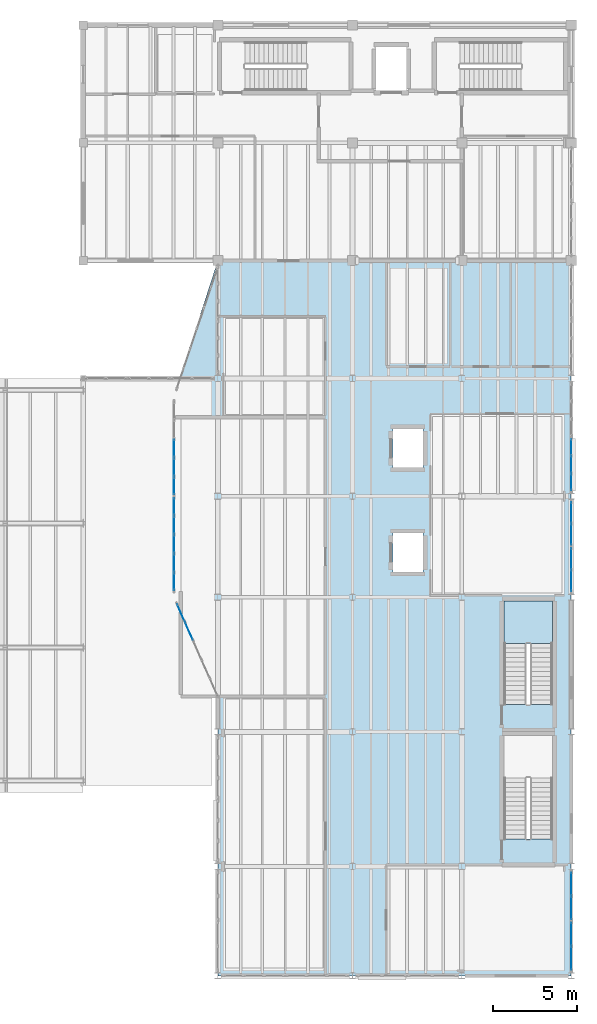
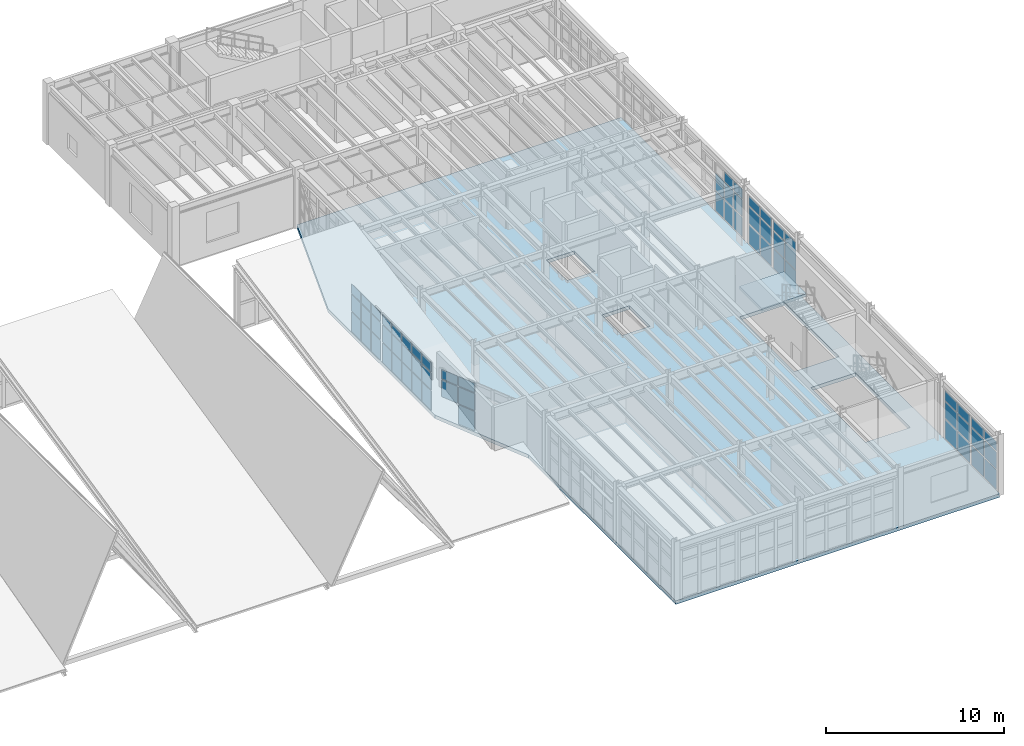
# One storey, part 52 of 77: 61 plates, 2 slabs, 9 elements without a shape of their own.
"""IFC4 building model written with IfcOpenShell, lengths in metres."""

from ifc_helpers import new_model, si_unit, direction, frame, origin, origin_2d, place, context, subcontext, project, spatial, polyline, rectangle, outline, extrude, material, layer, layer_set, type_object, element, aggregate, save


model = new_model("IFC4")

# Units and contexts
model_context = context("Model", 3, precision=1e-05, world=origin(), true_north=direction((0.0, 1.0)))
body_context = subcontext(model_context, "Body", "Model", "MODEL_VIEW")
ifc_project = project(units=[si_unit("LENGTHUNIT", "METRE"), si_unit("AREAUNIT", "SQUARE_METRE"), si_unit("VOLUMEUNIT", "CUBIC_METRE"), si_unit("PLANEANGLEUNIT", "RADIAN"), si_unit("MASSUNIT", "GRAM", prefix="KILO"), si_unit("THERMODYNAMICTEMPERATUREUNIT", "KELVIN"), si_unit("POWERUNIT", "WATT")], contexts=[model_context])

# Site, building, storey
site_placement = place(None, origin())
site = spatial("IfcSite", under=ifc_project, at=site_placement, CompositionType="ELEMENT")
building_placement = place(site_placement, origin())
building = spatial("IfcBuilding", under=site, at=building_placement, Name="Zhenchuan Central Fire Station", CompositionType="ELEMENT")
storey_placement = place(building_placement, frame((0.0, 0.0, 10.050048828125)))
storey = spatial("IfcBuildingStorey", under=building, at=storey_placement, Name="L03", CompositionType="ELEMENT", Elevation=10.050048828125)

# Curtain wall, plates
ifc_material_1 = material(Name="Anodised aluminium and low-E glazing", Category="aluminium")
curtain_wall_type_1 = type_object("IfcCurtainWallType", Name="CW-MOD-03", PredefinedType="USERDEFINED", material=ifc_material_1)
curtain_wall_1_placement = place(storey_placement, origin())
curtain_wall_1 = element("IfcCurtainWall", 1, at=curtain_wall_1_placement, inside=storey, type_object=curtain_wall_type_1, Name="L03 Unitised Curtain Wall 104", ObjectType="UNITISED GLAZING", PredefinedType="USERDEFINED")
ifc_material_2 = material(Name="Laminated low-E double glazing", Category="glass")
ifc_layer_1 = layer(ifc_material_2, 0.011962890625, Name="Laminated low-E double glazing", Category="glass")
ifc_layer_set_1 = layer_set([ifc_layer_1], Name="Laminated low-E double glazing")
plate_type = type_object("IfcPlateType", Name="CW-PNL12", PredefinedType="CURTAIN_PANEL", material=ifc_layer_set_1)
plate_1_placement = place(storey_placement, frame((161.0, 1.044189453125, 0.06103515625), z_axis=(0.0, 0.0, 1.0), x_axis=(0.0, 1.0, 0.0)))
plate_1 = element("IfcPlate", 2, at=plate_1_placement, type_object=plate_type, Name="CW-03 panel 1.1", PredefinedType="CURTAIN_PANEL", context=body_context, shape_type="SweptSolid", body=[
    extrude(rectangle(XDim=1.3583984375, YDim=0.011962890625, at=origin_2d()), origin(), (0.0, 0.0, 1.0), 1.33447265625),
])
plate_2_placement = place(storey_placement, frame((161.0, 1.044189453125, 1.46044921875), z_axis=(0.0, 0.0, 1.0), x_axis=(0.0, 1.0, 0.0)))
plate_2 = element("IfcPlate", 3, at=plate_2_placement, type_object=plate_type, Name="CW-03 panel 1.2", PredefinedType="CURTAIN_PANEL", context=body_context, shape_type="SweptSolid", body=[
    extrude(rectangle(XDim=1.3583984375, YDim=0.011962890625, at=origin_2d()), origin(), (0.0, 0.0, 1.0), 1.158935546875),
])
plate_3_placement = place(storey_placement, frame((161.0, 1.044189453125, 2.6845703125), z_axis=(0.0, 0.0, 1.0), x_axis=(0.0, 1.0, 0.0)))
plate_3 = element("IfcPlate", 4, at=plate_3_placement, type_object=plate_type, Name="CW-03 panel 1.3", PredefinedType="CURTAIN_PANEL", context=body_context, shape_type="SweptSolid", body=[
    extrude(rectangle(XDim=1.3583984375, YDim=0.011962890625, at=origin_2d()), origin(), (0.0, 0.0, 1.0), 0.650390625),
])
plate_4_placement = place(storey_placement, frame((161.0, 2.4677734375, 0.06103515625), z_axis=(0.0, 0.0, 1.0), x_axis=(0.0, 1.0, 0.0)))
plate_4 = element("IfcPlate", 5, at=plate_4_placement, type_object=plate_type, Name="CW-03 panel 2.1", PredefinedType="CURTAIN_PANEL", context=body_context, shape_type="SweptSolid", body=[
    extrude(rectangle(XDim=1.3583984375, YDim=0.011962890625, at=origin_2d()), origin(), (0.0, 0.0, 1.0), 1.33447265625),
])
plate_5_placement = place(storey_placement, frame((161.0, 2.4677734375, 1.46044921875), z_axis=(0.0, 0.0, 1.0), x_axis=(0.0, 1.0, 0.0)))
plate_5 = element("IfcPlate", 6, at=plate_5_placement, type_object=plate_type, Name="CW-03 panel 2.2", PredefinedType="CURTAIN_PANEL", context=body_context, shape_type="SweptSolid", body=[
    extrude(rectangle(XDim=1.3583984375, YDim=0.011962890625, at=origin_2d()), origin(), (0.0, 0.0, 1.0), 1.158935546875),
])
plate_6_placement = place(storey_placement, frame((161.0, 2.4677734375, 2.6845703125), z_axis=(0.0, 0.0, 1.0), x_axis=(0.0, 1.0, 0.0)))
plate_6 = element("IfcPlate", 7, at=plate_6_placement, type_object=plate_type, Name="CW-03 panel 2.3", PredefinedType="CURTAIN_PANEL", context=body_context, shape_type="SweptSolid", body=[
    extrude(rectangle(XDim=1.3583984375, YDim=0.011962890625, at=origin_2d()), origin(), (0.0, 0.0, 1.0), 0.650390625),
])
aggregate(curtain_wall_1, [plate_1, plate_2, plate_3, plate_4, plate_5, plate_6])

curtain_wall_type_2 = type_object("IfcCurtainWallType", Name="CW-MOD-04", PredefinedType="USERDEFINED", material=ifc_material_1)
curtain_wall_2_placement = place(storey_placement, origin())
curtain_wall_2 = element("IfcCurtainWall", 8, at=curtain_wall_2_placement, inside=storey, type_object=curtain_wall_type_2, Name="L03 Unitised Curtain Wall 105", ObjectType="UNITISED GLAZING", PredefinedType="USERDEFINED")
plate_7_placement = place(storey_placement, frame((161.0, 4.0322265625, 0.06103515625), z_axis=(0.0, 0.0, 1.0), x_axis=(0.0, 1.0, 0.0)))
plate_7 = element("IfcPlate", 9, at=plate_7_placement, type_object=plate_type, Name="CW-04 panel 1.1", PredefinedType="CURTAIN_PANEL", context=body_context, shape_type="SweptSolid", body=[
    extrude(rectangle(XDim=1.3583984375, YDim=0.011962890625, at=origin_2d()), origin(), (0.0, 0.0, 1.0), 1.33447265625),
])
plate_8_placement = place(storey_placement, frame((161.0, 4.0322265625, 1.46044921875), z_axis=(0.0, 0.0, 1.0), x_axis=(0.0, 1.0, 0.0)))
plate_8 = element("IfcPlate", 10, at=plate_8_placement, type_object=plate_type, Name="CW-04 panel 1.2", PredefinedType="CURTAIN_PANEL", context=body_context, shape_type="SweptSolid", body=[
    extrude(rectangle(XDim=1.3583984375, YDim=0.011962890625, at=origin_2d()), origin(), (0.0, 0.0, 1.0), 1.158935546875),
])
plate_9_placement = place(storey_placement, frame((161.0, 4.0322265625, 2.6845703125), z_axis=(0.0, 0.0, 1.0), x_axis=(0.0, 1.0, 0.0)))
plate_9 = element("IfcPlate", 11, at=plate_9_placement, type_object=plate_type, Name="CW-04 panel 1.3", PredefinedType="CURTAIN_PANEL", context=body_context, shape_type="SweptSolid", body=[
    extrude(rectangle(XDim=1.3583984375, YDim=0.011962890625, at=origin_2d()), origin(), (0.0, 0.0, 1.0), 0.650390625),
])
plate_10_placement = place(storey_placement, frame((161.0, 5.455810546875, 0.06103515625), z_axis=(0.0, 0.0, 1.0), x_axis=(0.0, 1.0, 0.0)))
plate_10 = element("IfcPlate", 12, at=plate_10_placement, type_object=plate_type, Name="CW-04 panel 2.1", PredefinedType="CURTAIN_PANEL", context=body_context, shape_type="SweptSolid", body=[
    extrude(rectangle(XDim=1.3583984375, YDim=0.011962890625, at=origin_2d()), origin(), (0.0, 0.0, 1.0), 1.33447265625),
])
plate_11_placement = place(storey_placement, frame((161.0, 5.455810546875, 1.46044921875), z_axis=(0.0, 0.0, 1.0), x_axis=(0.0, 1.0, 0.0)))
plate_11 = element("IfcPlate", 13, at=plate_11_placement, type_object=plate_type, Name="CW-04 panel 2.2", PredefinedType="CURTAIN_PANEL", context=body_context, shape_type="SweptSolid", body=[
    extrude(rectangle(XDim=1.3583984375, YDim=0.011962890625, at=origin_2d()), origin(), (0.0, 0.0, 1.0), 1.158935546875),
])
plate_12_placement = place(storey_placement, frame((161.0, 5.455810546875, 2.6845703125), z_axis=(0.0, 0.0, 1.0), x_axis=(0.0, 1.0, 0.0)))
plate_12 = element("IfcPlate", 14, at=plate_12_placement, type_object=plate_type, Name="CW-04 panel 2.3", PredefinedType="CURTAIN_PANEL", context=body_context, shape_type="SweptSolid", body=[
    extrude(rectangle(XDim=1.3583984375, YDim=0.011962890625, at=origin_2d()), origin(), (0.0, 0.0, 1.0), 0.650390625),
])
aggregate(curtain_wall_2, [plate_7, plate_8, plate_9, plate_10, plate_11, plate_12])

curtain_wall_type_3 = type_object("IfcCurtainWallType", Name="CW-MOD-09", PredefinedType="USERDEFINED", material=ifc_material_1)
curtain_wall_3_placement = place(storey_placement, origin())
curtain_wall_3 = element("IfcCurtainWall", 15, at=curtain_wall_3_placement, inside=storey, type_object=curtain_wall_type_3, Name="L03 Unitised Curtain Wall 106", ObjectType="UNITISED GLAZING", PredefinedType="USERDEFINED")
plate_13_placement = place(storey_placement, frame((161.0, 23.481689453125, 0.06103515625), z_axis=(0.0, 0.0, 1.0), x_axis=(0.0, 1.0, 0.0)))
plate_13 = element("IfcPlate", 16, at=plate_13_placement, type_object=plate_type, Name="CW-09 panel 1.1", PredefinedType="CURTAIN_PANEL", context=body_context, shape_type="SweptSolid", body=[
    extrude(rectangle(XDim=1.2333984375, YDim=0.011962890625, at=origin_2d()), origin(), (0.0, 0.0, 1.0), 1.33447265625),
])
plate_14_placement = place(storey_placement, frame((161.0, 23.481689453125, 1.46044921875), z_axis=(0.0, 0.0, 1.0), x_axis=(0.0, 1.0, 0.0)))
plate_14 = element("IfcPlate", 17, at=plate_14_placement, type_object=plate_type, Name="CW-09 panel 1.2", PredefinedType="CURTAIN_PANEL", context=body_context, shape_type="SweptSolid", body=[
    extrude(rectangle(XDim=1.2333984375, YDim=0.011962890625, at=origin_2d()), origin(), (0.0, 0.0, 1.0), 1.158935546875),
])
plate_15_placement = place(storey_placement, frame((161.0, 23.481689453125, 2.6845703125), z_axis=(0.0, 0.0, 1.0), x_axis=(0.0, 1.0, 0.0)))
plate_15 = element("IfcPlate", 18, at=plate_15_placement, type_object=plate_type, Name="CW-09 panel 1.3", PredefinedType="CURTAIN_PANEL", context=body_context, shape_type="SweptSolid", body=[
    extrude(rectangle(XDim=1.2333984375, YDim=0.011962890625, at=origin_2d()), origin(), (0.0, 0.0, 1.0), 0.650390625),
])
plate_16_placement = place(storey_placement, frame((161.0, 24.7802734375, 0.06103515625), z_axis=(0.0, 0.0, 1.0), x_axis=(0.0, 1.0, 0.0)))
plate_16 = element("IfcPlate", 19, at=plate_16_placement, type_object=plate_type, Name="CW-09 panel 2.1", PredefinedType="CURTAIN_PANEL", context=body_context, shape_type="SweptSolid", body=[
    extrude(rectangle(XDim=1.2333984375, YDim=0.011962890625, at=origin_2d()), origin(), (0.0, 0.0, 1.0), 1.33447265625),
])
plate_17_placement = place(storey_placement, frame((161.0, 24.7802734375, 1.46044921875), z_axis=(0.0, 0.0, 1.0), x_axis=(0.0, 1.0, 0.0)))
plate_17 = element("IfcPlate", 20, at=plate_17_placement, type_object=plate_type, Name="CW-09 panel 2.2", PredefinedType="CURTAIN_PANEL", context=body_context, shape_type="SweptSolid", body=[
    extrude(rectangle(XDim=1.2333984375, YDim=0.011962890625, at=origin_2d()), origin(), (0.0, 0.0, 1.0), 1.158935546875),
])
plate_18_placement = place(storey_placement, frame((161.0, 24.7802734375, 2.6845703125), z_axis=(0.0, 0.0, 1.0), x_axis=(0.0, 1.0, 0.0)))
plate_18 = element("IfcPlate", 21, at=plate_18_placement, type_object=plate_type, Name="CW-09 panel 2.3", PredefinedType="CURTAIN_PANEL", context=body_context, shape_type="SweptSolid", body=[
    extrude(rectangle(XDim=1.2333984375, YDim=0.011962890625, at=origin_2d()), origin(), (0.0, 0.0, 1.0), 0.650390625),
])
aggregate(curtain_wall_3, [plate_13, plate_14, plate_15, plate_16, plate_17, plate_18])

curtain_wall_type_4 = type_object("IfcCurtainWallType", Name="CW-MOD-10", PredefinedType="USERDEFINED", material=ifc_material_1)
curtain_wall_4_placement = place(storey_placement, origin())
curtain_wall_4 = element("IfcCurtainWall", 22, at=curtain_wall_4_placement, inside=storey, type_object=curtain_wall_type_4, Name="L03 Unitised Curtain Wall 107", ObjectType="UNITISED GLAZING", PredefinedType="USERDEFINED")
plate_19_placement = place(storey_placement, frame((161.0, 26.2197265625, 0.06103515625), z_axis=(0.0, 0.0, 1.0), x_axis=(0.0, 1.0, 0.0)))
plate_19 = element("IfcPlate", 23, at=plate_19_placement, type_object=plate_type, Name="CW-10 panel 1.1", PredefinedType="CURTAIN_PANEL", context=body_context, shape_type="SweptSolid", body=[
    extrude(rectangle(XDim=1.2333984375, YDim=0.011962890625, at=origin_2d()), origin(), (0.0, 0.0, 1.0), 1.33447265625),
])
plate_20_placement = place(storey_placement, frame((161.0, 26.2197265625, 1.46044921875), z_axis=(0.0, 0.0, 1.0), x_axis=(0.0, 1.0, 0.0)))
plate_20 = element("IfcPlate", 24, at=plate_20_placement, type_object=plate_type, Name="CW-10 panel 1.2", PredefinedType="CURTAIN_PANEL", context=body_context, shape_type="SweptSolid", body=[
    extrude(rectangle(XDim=1.2333984375, YDim=0.011962890625, at=origin_2d()), origin(), (0.0, 0.0, 1.0), 1.158935546875),
])
plate_21_placement = place(storey_placement, frame((161.0, 26.2197265625, 2.6845703125), z_axis=(0.0, 0.0, 1.0), x_axis=(0.0, 1.0, 0.0)))
plate_21 = element("IfcPlate", 25, at=plate_21_placement, type_object=plate_type, Name="CW-10 panel 1.3", PredefinedType="CURTAIN_PANEL", context=body_context, shape_type="SweptSolid", body=[
    extrude(rectangle(XDim=1.2333984375, YDim=0.011962890625, at=origin_2d()), origin(), (0.0, 0.0, 1.0), 0.650390625),
])
plate_22_placement = place(storey_placement, frame((161.0, 27.518310546875, 0.06103515625), z_axis=(0.0, 0.0, 1.0), x_axis=(0.0, 1.0, 0.0)))
plate_22 = element("IfcPlate", 26, at=plate_22_placement, type_object=plate_type, Name="CW-10 panel 2.1", PredefinedType="CURTAIN_PANEL", context=body_context, shape_type="SweptSolid", body=[
    extrude(rectangle(XDim=1.2333984375, YDim=0.011962890625, at=origin_2d()), origin(), (0.0, 0.0, 1.0), 1.33447265625),
])
plate_23_placement = place(storey_placement, frame((161.0, 27.518310546875, 1.46044921875), z_axis=(0.0, 0.0, 1.0), x_axis=(0.0, 1.0, 0.0)))
plate_23 = element("IfcPlate", 27, at=plate_23_placement, type_object=plate_type, Name="CW-10 panel 2.2", PredefinedType="CURTAIN_PANEL", context=body_context, shape_type="SweptSolid", body=[
    extrude(rectangle(XDim=1.2333984375, YDim=0.011962890625, at=origin_2d()), origin(), (0.0, 0.0, 1.0), 1.158935546875),
])
plate_24_placement = place(storey_placement, frame((161.0, 27.518310546875, 2.6845703125), z_axis=(0.0, 0.0, 1.0), x_axis=(0.0, 1.0, 0.0)))
plate_24 = element("IfcPlate", 28, at=plate_24_placement, type_object=plate_type, Name="CW-10 panel 2.3", PredefinedType="CURTAIN_PANEL", context=body_context, shape_type="SweptSolid", body=[
    extrude(rectangle(XDim=1.2333984375, YDim=0.011962890625, at=origin_2d()), origin(), (0.0, 0.0, 1.0), 0.650390625),
])
aggregate(curtain_wall_4, [plate_19, plate_20, plate_21, plate_22, plate_23, plate_24])

curtain_wall_type_5 = type_object("IfcCurtainWallType", Name="CW-MOD-11", PredefinedType="USERDEFINED", material=ifc_material_1)
curtain_wall_5_placement = place(storey_placement, origin())
curtain_wall_5 = element("IfcCurtainWall", 29, at=curtain_wall_5_placement, inside=storey, type_object=curtain_wall_type_5, Name="L03 Unitised Curtain Wall 108", ObjectType="UNITISED GLAZING", PredefinedType="USERDEFINED")
plate_25_placement = place(storey_placement, frame((161.0, 29.34326171875, 0.06103515625), z_axis=(0.0, 0.0, 1.0), x_axis=(0.0, 1.0, 0.0)))
plate_25 = element("IfcPlate", 30, at=plate_25_placement, type_object=plate_type, Name="CW-11 panel 1.1", PredefinedType="CURTAIN_PANEL", context=body_context, shape_type="SweptSolid", body=[
    extrude(rectangle(XDim=0.95654296875, YDim=0.011962890625, at=origin_2d()), origin(), (0.0, 0.0, 1.0), 1.33447265625),
])
plate_26_placement = place(storey_placement, frame((161.0, 29.34326171875, 1.46044921875), z_axis=(0.0, 0.0, 1.0), x_axis=(0.0, 1.0, 0.0)))
plate_26 = element("IfcPlate", 31, at=plate_26_placement, type_object=plate_type, Name="CW-11 panel 1.2", PredefinedType="CURTAIN_PANEL", context=body_context, shape_type="SweptSolid", body=[
    extrude(rectangle(XDim=0.95654296875, YDim=0.011962890625, at=origin_2d()), origin(), (0.0, 0.0, 1.0), 1.158935546875),
])
plate_27_placement = place(storey_placement, frame((161.0, 29.34326171875, 2.6845703125), z_axis=(0.0, 0.0, 1.0), x_axis=(0.0, 1.0, 0.0)))
plate_27 = element("IfcPlate", 32, at=plate_27_placement, type_object=plate_type, Name="CW-11 panel 1.3", PredefinedType="CURTAIN_PANEL", context=body_context, shape_type="SweptSolid", body=[
    extrude(rectangle(XDim=0.95654296875, YDim=0.011962890625, at=origin_2d()), origin(), (0.0, 0.0, 1.0), 0.650390625),
])
plate_28_placement = place(storey_placement, frame((161.0, 30.381103515625, 0.06103515625), z_axis=(0.0, 0.0, 1.0), x_axis=(0.0, 1.0, 0.0)))
plate_28 = element("IfcPlate", 33, at=plate_28_placement, type_object=plate_type, Name="CW-11 panel 2.1", PredefinedType="CURTAIN_PANEL", context=body_context, shape_type="SweptSolid", body=[
    extrude(rectangle(XDim=0.989013671875, YDim=0.011962890625, at=origin_2d()), origin(), (0.0, 0.0, 1.0), 1.33447265625),
])
plate_29_placement = place(storey_placement, frame((161.0, 30.381103515625, 1.46044921875), z_axis=(0.0, 0.0, 1.0), x_axis=(0.0, 1.0, 0.0)))
plate_29 = element("IfcPlate", 34, at=plate_29_placement, type_object=plate_type, Name="CW-11 panel 2.2", PredefinedType="CURTAIN_PANEL", context=body_context, shape_type="SweptSolid", body=[
    extrude(rectangle(XDim=0.989013671875, YDim=0.011962890625, at=origin_2d()), origin(), (0.0, 0.0, 1.0), 1.158935546875),
])
plate_30_placement = place(storey_placement, frame((161.0, 30.381103515625, 2.6845703125), z_axis=(0.0, 0.0, 1.0), x_axis=(0.0, 1.0, 0.0)))
plate_30 = element("IfcPlate", 35, at=plate_30_placement, type_object=plate_type, Name="CW-11 panel 2.3", PredefinedType="CURTAIN_PANEL", context=body_context, shape_type="SweptSolid", body=[
    extrude(rectangle(XDim=0.989013671875, YDim=0.011962890625, at=origin_2d()), origin(), (0.0, 0.0, 1.0), 0.650390625),
])
plate_31_placement = place(storey_placement, frame((161.0, 31.418701171875, 0.06103515625), z_axis=(0.0, 0.0, 1.0), x_axis=(0.0, 1.0, 0.0)))
plate_31 = element("IfcPlate", 36, at=plate_31_placement, type_object=plate_type, Name="CW-11 panel 3.1", PredefinedType="CURTAIN_PANEL", context=body_context, shape_type="SweptSolid", body=[
    extrude(rectangle(XDim=0.95654296875, YDim=0.011962890625, at=origin_2d()), origin(), (0.0, 0.0, 1.0), 1.33447265625),
])
plate_32_placement = place(storey_placement, frame((161.0, 31.418701171875, 1.46044921875), z_axis=(0.0, 0.0, 1.0), x_axis=(0.0, 1.0, 0.0)))
plate_32 = element("IfcPlate", 37, at=plate_32_placement, type_object=plate_type, Name="CW-11 panel 3.2", PredefinedType="CURTAIN_PANEL", context=body_context, shape_type="SweptSolid", body=[
    extrude(rectangle(XDim=0.95654296875, YDim=0.011962890625, at=origin_2d()), origin(), (0.0, 0.0, 1.0), 1.158935546875),
])
aggregate(curtain_wall_5, [plate_25, plate_26, plate_27, plate_28, plate_29, plate_30, plate_31, plate_32])

curtain_wall_type_6 = type_object("IfcCurtainWallType", Name="CW-MOD-15", PredefinedType="USERDEFINED", material=ifc_material_1)
curtain_wall_6_placement = place(storey_placement, origin())
curtain_wall_6 = element("IfcCurtainWall", 38, at=curtain_wall_6_placement, inside=storey, type_object=curtain_wall_type_6, Name="L03 Unitised Curtain Wall 118", ObjectType="UNITISED GLAZING", PredefinedType="USERDEFINED")
plate_33_placement = place(storey_placement, frame((137.802490234375, 21.577880859375, 1.465576171875), z_axis=(0.0, 0.0, 1.0), x_axis=(0.403843105897, -0.914828260287, 0.0)))
plate_33 = element("IfcPlate", 39, at=plate_33_placement, type_object=plate_type, Name="CW-15 panel 1.2", PredefinedType="CURTAIN_PANEL", context=body_context, shape_type="SweptSolid", body=[
    extrude(rectangle(XDim=1.100830078125, YDim=0.011962890625, at=origin_2d()), origin(), (0.0, 0.0, 1.0), 1.14892578125),
])
plate_34_placement = place(storey_placement, frame((137.802490234375, 21.577880859375, 2.689453125), z_axis=(0.0, 0.0, 1.0), x_axis=(0.403843105897, -0.914828260287, 0.0)))
plate_34 = element("IfcPlate", 40, at=plate_34_placement, type_object=plate_type, Name="CW-15 panel 1.3", PredefinedType="CURTAIN_PANEL", context=body_context, shape_type="SweptSolid", body=[
    extrude(rectangle(XDim=1.100830078125, YDim=0.011962890625, at=origin_2d()), origin(), (0.0, 0.0, 1.0), 0.635498046875),
])
plate_35_placement = place(storey_placement, frame((138.284912109375, 20.485107421875, 0.07080078125), z_axis=(0.0, 0.0, 1.0), x_axis=(0.403843105897, -0.914828260287, 0.0)))
plate_35 = element("IfcPlate", 41, at=plate_35_placement, type_object=plate_type, Name="CW-15 panel 2.1", PredefinedType="CURTAIN_PANEL", context=body_context, shape_type="SweptSolid", body=[
    extrude(rectangle(XDim=1.138427734375, YDim=0.011962890625, at=origin_2d()), origin(), (0.0, 0.0, 1.0), 1.319580078125),
])
plate_36_placement = place(storey_placement, frame((138.284912109375, 20.485107421875, 1.465576171875), z_axis=(0.0, 0.0, 1.0), x_axis=(0.403843105897, -0.914828260287, 0.0)))
plate_36 = element("IfcPlate", 42, at=plate_36_placement, type_object=plate_type, Name="CW-15 panel 2.2", PredefinedType="CURTAIN_PANEL", context=body_context, shape_type="SweptSolid", body=[
    extrude(rectangle(XDim=1.138427734375, YDim=0.011962890625, at=origin_2d()), origin(), (0.0, 0.0, 1.0), 1.14892578125),
])
plate_37_placement = place(storey_placement, frame((138.284912109375, 20.485107421875, 2.689453125), z_axis=(0.0, 0.0, 1.0), x_axis=(0.403843105897, -0.914828260287, 0.0)))
plate_37 = element("IfcPlate", 43, at=plate_37_placement, type_object=plate_type, Name="CW-15 panel 2.3", PredefinedType="CURTAIN_PANEL", context=body_context, shape_type="SweptSolid", body=[
    extrude(rectangle(XDim=1.138427734375, YDim=0.011962890625, at=origin_2d()), origin(), (0.0, 0.0, 1.0), 0.635498046875),
])
aggregate(curtain_wall_6, [plate_33, plate_34, plate_35, plate_36, plate_37])

curtain_wall_type_7 = type_object("IfcCurtainWallType", Name="CW-MOD-16", PredefinedType="USERDEFINED", material=ifc_material_1)
curtain_wall_7_placement = place(storey_placement, origin())
curtain_wall_7 = element("IfcCurtainWall", 44, at=curtain_wall_7_placement, inside=storey, type_object=curtain_wall_type_7, Name="L03 Unitised Curtain Wall 119", ObjectType="UNITISED GLAZING", PredefinedType="USERDEFINED")
plate_38_placement = place(storey_placement, frame((137.39990234375, 23.429931640625, 0.07080078125), z_axis=(0.0, 0.0, 1.0), x_axis=(0.0, 1.0, 0.0)))
plate_38 = element("IfcPlate", 45, at=plate_38_placement, type_object=plate_type, Name="CW-16 panel 1.1", PredefinedType="CURTAIN_PANEL", context=body_context, shape_type="SweptSolid", body=[
    extrude(rectangle(XDim=1.010009765625, YDim=0.011962890625, at=origin_2d()), origin(), (0.0, 0.0, 1.0), 1.319580078125),
])
plate_39_placement = place(storey_placement, frame((137.39990234375, 23.429931640625, 1.465576171875), z_axis=(0.0, 0.0, 1.0), x_axis=(0.0, 1.0, 0.0)))
plate_39 = element("IfcPlate", 46, at=plate_39_placement, type_object=plate_type, Name="CW-16 panel 1.2", PredefinedType="CURTAIN_PANEL", context=body_context, shape_type="SweptSolid", body=[
    extrude(rectangle(XDim=1.010009765625, YDim=0.011962890625, at=origin_2d()), origin(), (0.0, 0.0, 1.0), 1.14892578125),
])
plate_40_placement = place(storey_placement, frame((137.39990234375, 23.429931640625, 2.689453125), z_axis=(0.0, 0.0, 1.0), x_axis=(0.0, 1.0, 0.0)))
plate_40 = element("IfcPlate", 47, at=plate_40_placement, type_object=plate_type, Name="CW-16 panel 1.3", PredefinedType="CURTAIN_PANEL", context=body_context, shape_type="SweptSolid", body=[
    extrude(rectangle(XDim=1.010009765625, YDim=0.011962890625, at=origin_2d()), origin(), (0.0, 0.0, 1.0), 0.635498046875),
])
plate_41_placement = place(storey_placement, frame((137.39990234375, 24.53369140625, 0.07080078125), z_axis=(0.0, 0.0, 1.0), x_axis=(0.0, 1.0, 0.0)))
plate_41 = element("IfcPlate", 48, at=plate_41_placement, type_object=plate_type, Name="CW-16 panel 2.1", PredefinedType="CURTAIN_PANEL", context=body_context, shape_type="SweptSolid", body=[
    extrude(rectangle(XDim=1.04736328125, YDim=0.011962890625, at=origin_2d()), origin(), (0.0, 0.0, 1.0), 1.319580078125),
])
plate_42_placement = place(storey_placement, frame((137.39990234375, 24.53369140625, 1.465576171875), z_axis=(0.0, 0.0, 1.0), x_axis=(0.0, 1.0, 0.0)))
plate_42 = element("IfcPlate", 49, at=plate_42_placement, type_object=plate_type, Name="CW-16 panel 2.2", PredefinedType="CURTAIN_PANEL", context=body_context, shape_type="SweptSolid", body=[
    extrude(rectangle(XDim=1.04736328125, YDim=0.011962890625, at=origin_2d()), origin(), (0.0, 0.0, 1.0), 1.14892578125),
])
plate_43_placement = place(storey_placement, frame((137.39990234375, 24.53369140625, 2.689453125), z_axis=(0.0, 0.0, 1.0), x_axis=(0.0, 1.0, 0.0)))
plate_43 = element("IfcPlate", 50, at=plate_43_placement, type_object=plate_type, Name="CW-16 panel 2.3", PredefinedType="CURTAIN_PANEL", context=body_context, shape_type="SweptSolid", body=[
    extrude(rectangle(XDim=1.04736328125, YDim=0.011962890625, at=origin_2d()), origin(), (0.0, 0.0, 1.0), 0.635498046875),
])
plate_44_placement = place(storey_placement, frame((137.39990234375, 25.656005859375, 0.07080078125), z_axis=(0.0, 0.0, 1.0), x_axis=(0.0, 1.0, 0.0)))
plate_44 = element("IfcPlate", 51, at=plate_44_placement, type_object=plate_type, Name="CW-16 panel 3.1", PredefinedType="CURTAIN_PANEL", context=body_context, shape_type="SweptSolid", body=[
    extrude(rectangle(XDim=1.04736328125, YDim=0.011962890625, at=origin_2d()), origin(), (0.0, 0.0, 1.0), 1.319580078125),
])
plate_45_placement = place(storey_placement, frame((137.39990234375, 25.656005859375, 1.465576171875), z_axis=(0.0, 0.0, 1.0), x_axis=(0.0, 1.0, 0.0)))
plate_45 = element("IfcPlate", 52, at=plate_45_placement, type_object=plate_type, Name="CW-16 panel 3.2", PredefinedType="CURTAIN_PANEL", context=body_context, shape_type="SweptSolid", body=[
    extrude(rectangle(XDim=1.04736328125, YDim=0.011962890625, at=origin_2d()), origin(), (0.0, 0.0, 1.0), 1.14892578125),
])
plate_46_placement = place(storey_placement, frame((137.39990234375, 25.656005859375, 2.689453125), z_axis=(0.0, 0.0, 1.0), x_axis=(0.0, 1.0, 0.0)))
plate_46 = element("IfcPlate", 53, at=plate_46_placement, type_object=plate_type, Name="CW-16 panel 3.3", PredefinedType="CURTAIN_PANEL", context=body_context, shape_type="SweptSolid", body=[
    extrude(rectangle(XDim=1.04736328125, YDim=0.011962890625, at=origin_2d()), origin(), (0.0, 0.0, 1.0), 0.635498046875),
])
plate_47_placement = place(storey_placement, frame((137.39990234375, 26.7783203125, 0.07080078125), z_axis=(0.0, 0.0, 1.0), x_axis=(0.0, 1.0, 0.0)))
plate_47 = element("IfcPlate", 54, at=plate_47_placement, type_object=plate_type, Name="CW-16 panel 4.1", PredefinedType="CURTAIN_PANEL", context=body_context, shape_type="SweptSolid", body=[
    extrude(rectangle(XDim=1.04736328125, YDim=0.011962890625, at=origin_2d()), origin(), (0.0, 0.0, 1.0), 1.319580078125),
])
plate_48_placement = place(storey_placement, frame((137.39990234375, 26.7783203125, 1.465576171875), z_axis=(0.0, 0.0, 1.0), x_axis=(0.0, 1.0, 0.0)))
plate_48 = element("IfcPlate", 55, at=plate_48_placement, type_object=plate_type, Name="CW-16 panel 4.2", PredefinedType="CURTAIN_PANEL", context=body_context, shape_type="SweptSolid", body=[
    extrude(rectangle(XDim=1.04736328125, YDim=0.011962890625, at=origin_2d()), origin(), (0.0, 0.0, 1.0), 1.14892578125),
])
plate_49_placement = place(storey_placement, frame((137.39990234375, 26.7783203125, 2.689453125), z_axis=(0.0, 0.0, 1.0), x_axis=(0.0, 1.0, 0.0)))
plate_49 = element("IfcPlate", 56, at=plate_49_placement, type_object=plate_type, Name="CW-16 panel 4.3", PredefinedType="CURTAIN_PANEL", context=body_context, shape_type="SweptSolid", body=[
    extrude(rectangle(XDim=1.04736328125, YDim=0.011962890625, at=origin_2d()), origin(), (0.0, 0.0, 1.0), 0.635498046875),
])
plate_50_placement = place(storey_placement, frame((137.39990234375, 27.882080078125, 0.07080078125), z_axis=(0.0, 0.0, 1.0), x_axis=(0.0, 1.0, 0.0)))
plate_50 = element("IfcPlate", 57, at=plate_50_placement, type_object=plate_type, Name="CW-16 panel 5.1", PredefinedType="CURTAIN_PANEL", context=body_context, shape_type="SweptSolid", body=[
    extrude(rectangle(XDim=1.010009765625, YDim=0.011962890625, at=origin_2d()), origin(), (0.0, 0.0, 1.0), 1.319580078125),
])
plate_51_placement = place(storey_placement, frame((137.39990234375, 27.882080078125, 1.465576171875), z_axis=(0.0, 0.0, 1.0), x_axis=(0.0, 1.0, 0.0)))
plate_51 = element("IfcPlate", 58, at=plate_51_placement, type_object=plate_type, Name="CW-16 panel 5.2", PredefinedType="CURTAIN_PANEL", context=body_context, shape_type="SweptSolid", body=[
    extrude(rectangle(XDim=1.010009765625, YDim=0.011962890625, at=origin_2d()), origin(), (0.0, 0.0, 1.0), 1.14892578125),
])
plate_52_placement = place(storey_placement, frame((137.39990234375, 27.882080078125, 2.689453125), z_axis=(0.0, 0.0, 1.0), x_axis=(0.0, 1.0, 0.0)))
plate_52 = element("IfcPlate", 59, at=plate_52_placement, type_object=plate_type, Name="CW-16 panel 5.3", PredefinedType="CURTAIN_PANEL", context=body_context, shape_type="SweptSolid", body=[
    extrude(rectangle(XDim=1.010009765625, YDim=0.011962890625, at=origin_2d()), origin(), (0.0, 0.0, 1.0), 0.635498046875),
])
aggregate(curtain_wall_7, [plate_38, plate_39, plate_40, plate_41, plate_42, plate_43, plate_44, plate_45, plate_46, plate_47, plate_48, plate_49, plate_50, plate_51, plate_52])

curtain_wall_type_8 = type_object("IfcCurtainWallType", Name="CW-MOD-17", PredefinedType="USERDEFINED", material=ifc_material_1)
curtain_wall_8_placement = place(storey_placement, origin())
curtain_wall_8 = element("IfcCurtainWall", 60, at=curtain_wall_8_placement, inside=storey, type_object=curtain_wall_type_8, Name="L03 Unitised Curtain Wall 120", ObjectType="UNITISED GLAZING", PredefinedType="USERDEFINED")
plate_53_placement = place(storey_placement, frame((137.39990234375, 29.117919921875, 0.07080078125), z_axis=(0.0, 0.0, 1.0), x_axis=(0.0, 1.0, 0.0)))
plate_53 = element("IfcPlate", 61, at=plate_53_placement, type_object=plate_type, Name="CW-17 panel 1.1", PredefinedType="CURTAIN_PANEL", context=body_context, shape_type="SweptSolid", body=[
    extrude(rectangle(XDim=1.010009765625, YDim=0.011962890625, at=origin_2d()), origin(), (0.0, 0.0, 1.0), 1.319580078125),
])
plate_54_placement = place(storey_placement, frame((137.39990234375, 29.117919921875, 1.465576171875), z_axis=(0.0, 0.0, 1.0), x_axis=(0.0, 1.0, 0.0)))
plate_54 = element("IfcPlate", 62, at=plate_54_placement, type_object=plate_type, Name="CW-17 panel 1.2", PredefinedType="CURTAIN_PANEL", context=body_context, shape_type="SweptSolid", body=[
    extrude(rectangle(XDim=1.010009765625, YDim=0.011962890625, at=origin_2d()), origin(), (0.0, 0.0, 1.0), 1.14892578125),
])
plate_55_placement = place(storey_placement, frame((137.39990234375, 29.117919921875, 2.689453125), z_axis=(0.0, 0.0, 1.0), x_axis=(0.0, 1.0, 0.0)))
plate_55 = element("IfcPlate", 63, at=plate_55_placement, type_object=plate_type, Name="CW-17 panel 1.3", PredefinedType="CURTAIN_PANEL", context=body_context, shape_type="SweptSolid", body=[
    extrude(rectangle(XDim=1.010009765625, YDim=0.011962890625, at=origin_2d()), origin(), (0.0, 0.0, 1.0), 0.635498046875),
])
plate_56_placement = place(storey_placement, frame((137.39990234375, 30.2216796875, 0.07080078125), z_axis=(0.0, 0.0, 1.0), x_axis=(0.0, 1.0, 0.0)))
plate_56 = element("IfcPlate", 64, at=plate_56_placement, type_object=plate_type, Name="CW-17 panel 2.1", PredefinedType="CURTAIN_PANEL", context=body_context, shape_type="SweptSolid", body=[
    extrude(rectangle(XDim=1.04736328125, YDim=0.011962890625, at=origin_2d()), origin(), (0.0, 0.0, 1.0), 1.319580078125),
])
plate_57_placement = place(storey_placement, frame((137.39990234375, 30.2216796875, 1.465576171875), z_axis=(0.0, 0.0, 1.0), x_axis=(0.0, 1.0, 0.0)))
plate_57 = element("IfcPlate", 65, at=plate_57_placement, type_object=plate_type, Name="CW-17 panel 2.2", PredefinedType="CURTAIN_PANEL", context=body_context, shape_type="SweptSolid", body=[
    extrude(rectangle(XDim=1.04736328125, YDim=0.011962890625, at=origin_2d()), origin(), (0.0, 0.0, 1.0), 1.14892578125),
])
plate_58_placement = place(storey_placement, frame((137.39990234375, 30.2216796875, 2.689453125), z_axis=(0.0, 0.0, 1.0), x_axis=(0.0, 1.0, 0.0)))
plate_58 = element("IfcPlate", 66, at=plate_58_placement, type_object=plate_type, Name="CW-17 panel 2.3", PredefinedType="CURTAIN_PANEL", context=body_context, shape_type="SweptSolid", body=[
    extrude(rectangle(XDim=1.04736328125, YDim=0.011962890625, at=origin_2d()), origin(), (0.0, 0.0, 1.0), 0.635498046875),
])
plate_59_placement = place(storey_placement, frame((137.39990234375, 31.343994140625, 0.07080078125), z_axis=(0.0, 0.0, 1.0), x_axis=(0.0, 1.0, 0.0)))
plate_59 = element("IfcPlate", 67, at=plate_59_placement, type_object=plate_type, Name="CW-17 panel 3.1", PredefinedType="CURTAIN_PANEL", context=body_context, shape_type="SweptSolid", body=[
    extrude(rectangle(XDim=1.04736328125, YDim=0.011962890625, at=origin_2d()), origin(), (0.0, 0.0, 1.0), 1.319580078125),
])
plate_60_placement = place(storey_placement, frame((137.39990234375, 31.343994140625, 1.465576171875), z_axis=(0.0, 0.0, 1.0), x_axis=(0.0, 1.0, 0.0)))
plate_60 = element("IfcPlate", 68, at=plate_60_placement, type_object=plate_type, Name="CW-17 panel 3.2", PredefinedType="CURTAIN_PANEL", context=body_context, shape_type="SweptSolid", body=[
    extrude(rectangle(XDim=1.04736328125, YDim=0.011962890625, at=origin_2d()), origin(), (0.0, 0.0, 1.0), 1.14892578125),
])
plate_61_placement = place(storey_placement, frame((137.39990234375, 31.343994140625, 2.689453125), z_axis=(0.0, 0.0, 1.0), x_axis=(0.0, 1.0, 0.0)))
plate_61 = element("IfcPlate", 69, at=plate_61_placement, type_object=plate_type, Name="CW-17 panel 3.3", PredefinedType="CURTAIN_PANEL", context=body_context, shape_type="SweptSolid", body=[
    extrude(rectangle(XDim=1.04736328125, YDim=0.011962890625, at=origin_2d()), origin(), (0.0, 0.0, 1.0), 0.635498046875),
])
aggregate(curtain_wall_8, [plate_53, plate_54, plate_55, plate_56, plate_57, plate_58, plate_59, plate_60, plate_61])

# Slab
ifc_material_3 = material(Name="Concrete C35/45", Category="concrete")
ifc_layer_2 = layer(ifc_material_3, 0.239990234375, Name="Concrete C35/45", Category="concrete")
ifc_layer_set_2 = layer_set([ifc_layer_2], Name="Concrete C35/45")
slab_type_1 = type_object("IfcSlabType", Name="SL-FLR240", PredefinedType="FLOOR", material=ifc_layer_set_2)
slab_1_placement = place(storey_placement, frame((0.0, 0.0, -0.239990234375)))
element("IfcSlab", 70, at=slab_1_placement, inside=storey, type_object=slab_type_1, Name="L03 Headquarters Bridge Command Floor Slab", PredefinedType="FLOOR", context=body_context, shape_type="SweptSolid", body=[
    extrude(outline(polyline([(140.0, 0.0), (161.0, 0.0), (161.0, 42.5), (140.0, 42.5), (137.39990234375, 34.5), (137.39990234375, 22.5), (140.0, 16.5), (140.0, 0.0)]), holes=[polyline([(159.89990234375, 8.12060546875), (159.89990234375, 14.280029296875), (157.0, 14.280029296875), (157.0, 8.12060546875), (159.89990234375, 8.12060546875)]), polyline([(159.89990234375, 16.12060546875), (159.89990234375, 22.280029296875), (157.0, 22.280029296875), (157.0, 16.12060546875), (159.89990234375, 16.12060546875)]), polyline([(150.39990234375, 24.0), (152.199951171875, 24.0), (152.199951171875, 26.300048828125), (150.39990234375, 26.300048828125), (150.39990234375, 24.0)]), polyline([(150.39990234375, 30.199951171875), (152.199951171875, 30.199951171875), (152.199951171875, 32.5), (150.39990234375, 32.5), (150.39990234375, 30.199951171875)])]), origin(), (0.0, 0.0, 1.0), 0.239990234375),
])

# Stair, slab
stair_type = type_object("IfcStairType", Name="ST-CORE-TYP", PredefinedType="HALF_TURN_STAIR", material=ifc_material_3)
stair_placement = place(storey_placement, origin())
stair = element("IfcStair", 71, at=stair_placement, inside=storey, type_object=stair_type, Name="L03 Headquarters North Exit Stair", PredefinedType="HALF_TURN_STAIR")
ifc_layer_3 = layer(ifc_material_3, 0.159912109375, Name="Concrete C35/45", Category="concrete")
ifc_layer_set_3 = layer_set([ifc_layer_3], Name="Concrete C35/45")
slab_type_2 = type_object("IfcSlabType", Name="SL-LND160", PredefinedType="LANDING", material=ifc_layer_set_3)
slab_2_placement = place(storey_placement, frame((0.0, 0.0, 1.89990234375)))
slab_2 = element("IfcSlab", 72, at=slab_2_placement, type_object=slab_type_2, Name="ST-11 landing 1", PredefinedType="LANDING", context=body_context, shape_type="SweptSolid", body=[
    extrude(outline(polyline([(159.89990234375, 19.760009765625), (159.89990234375, 22.280029296875), (157.0, 22.280029296875), (157.0, 19.760009765625), (159.89990234375, 19.760009765625)])), origin(), (0.0, 0.0, 1.0), 0.199951171875),
])
aggregate(stair, [slab_2])

save(model, "model.ifc")
